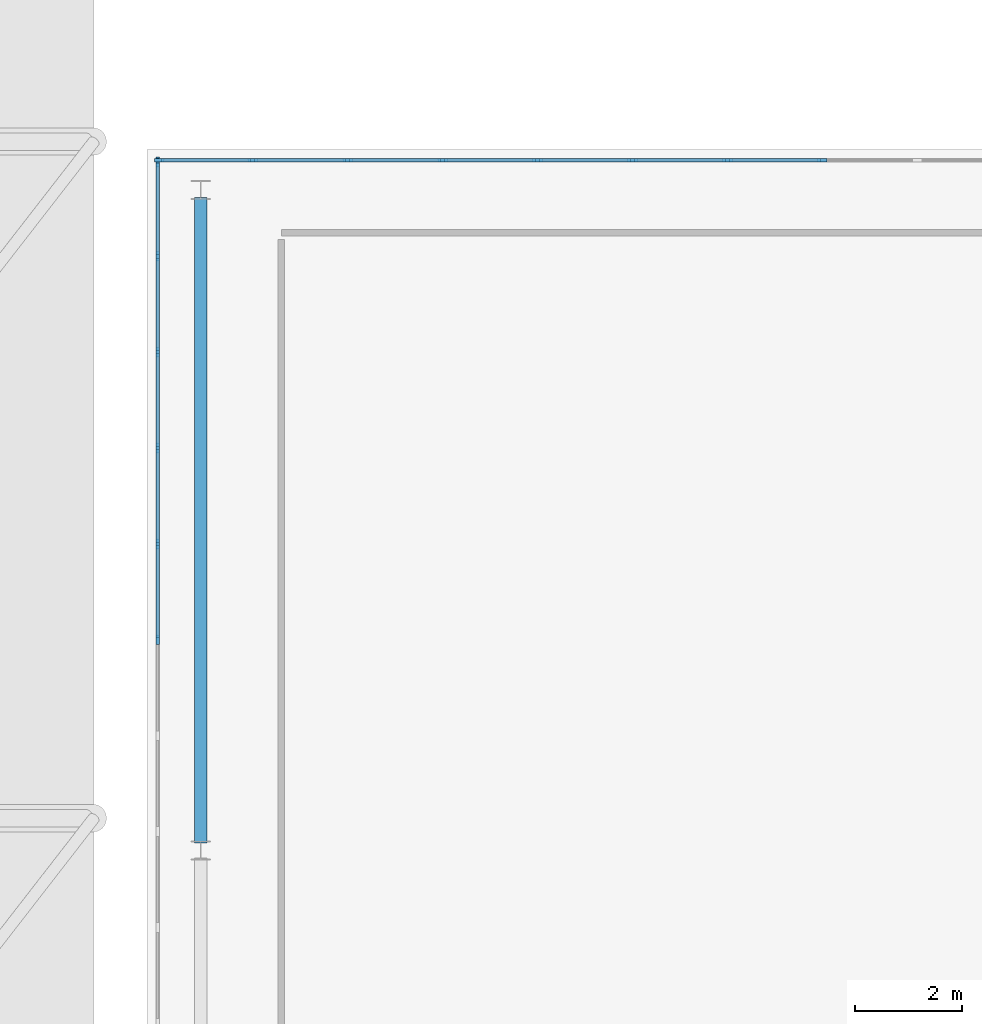
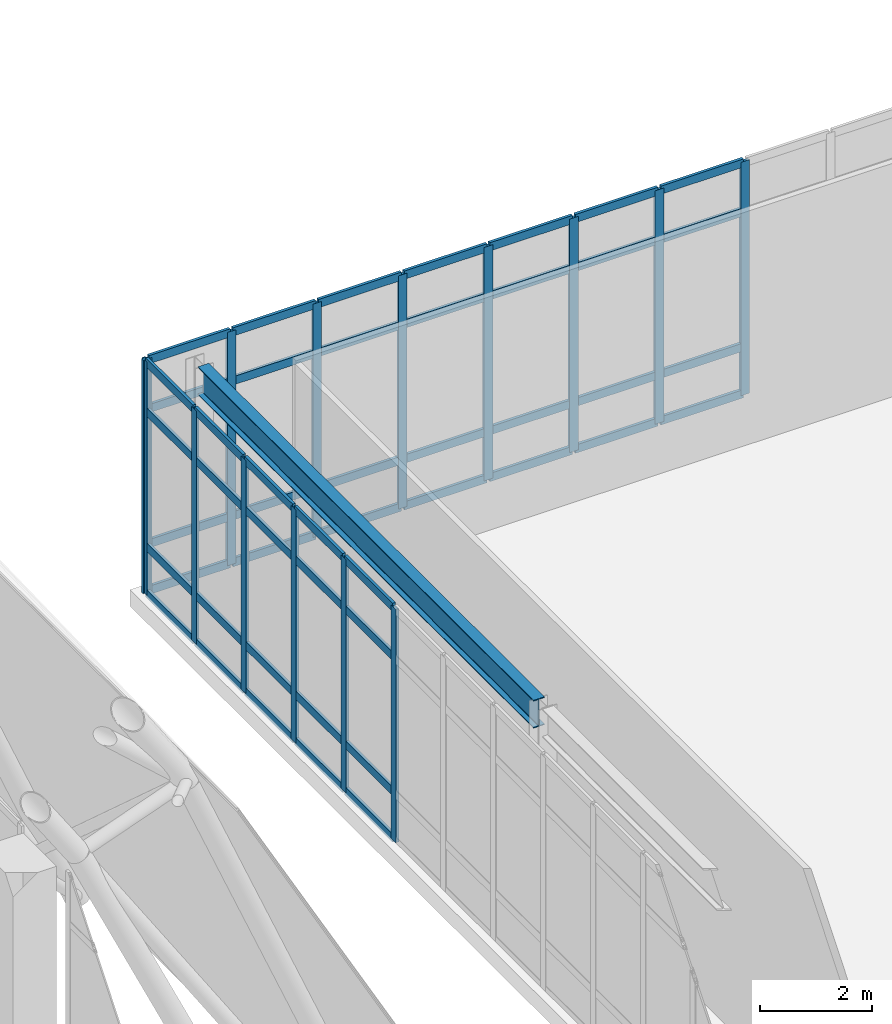
# One storey, part 42 of 159: 62 members, 1 beam, 2 elements without a shape of their own.
"""IFC4 building model written with IfcOpenShell, lengths in metres."""

from ifc_helpers import new_model, si_unit, derived_unit, direction, frame, origin, origin_2d, place, context, subcontext, project, spatial, rectangle, i_section, extrude, material, layer, layer_set, material_profile, profile_set, type_object, element, aggregate, save


model = new_model("IFC4")

# Units and contexts
model_context = context("Model", 3, precision=1e-05, world=origin(), true_north=direction((0.0, 1.0)))
body_context = subcontext(model_context, "Body", "Model", "MODEL_VIEW")
ifc_project = project(units=[si_unit("LENGTHUNIT", "METRE"), si_unit("AREAUNIT", "SQUARE_METRE"), si_unit("VOLUMEUNIT", "CUBIC_METRE"), si_unit("PLANEANGLEUNIT", "RADIAN"), si_unit("MASSUNIT", "GRAM", prefix="KILO"), derived_unit("THERMALTRANSMITTANCEUNIT", [(si_unit("MASSUNIT", "GRAM", prefix="KILO"), 1), (si_unit("TIMEUNIT", "SECOND"), -3), (si_unit("THERMODYNAMICTEMPERATUREUNIT", "KELVIN"), -1)])], contexts=[model_context])

# Site, building, storey
site_placement = place(None, origin())
site = spatial("IfcSite", under=ifc_project, at=site_placement, CompositionType="ELEMENT")
building_placement = place(site_placement, origin())
building = spatial("IfcBuilding", under=site, at=building_placement, Name="Valcora Ridge Arena", CompositionType="ELEMENT")
storey_placement = place(building_placement, frame((0.0, 0.0, 6.0)))
storey = spatial("IfcBuildingStorey", under=building, at=storey_placement, Name="L01", CompositionType="ELEMENT", Elevation=6.0)

# Beam
ifc_material_1 = material(Name="Steel ASTM A572 Grade 50", Category="steel")
ifc_material_profile_1 = material_profile(ifc_material_1, i_section(OverallWidth=0.22900390625, OverallDepth=0.612060546875, WebThickness=0.011962890625, FlangeThickness=0.01953125, FilletRadius=0.01806640625, at=origin_2d()), Name="W24X84")
ifc_profile_set_1 = profile_set([ifc_material_profile_1], Name="Steel ASTM A572 Grade 50")
beam_type = type_object("IfcBeamType", Name="TY-BEAM-G-W24X84-Y", PredefinedType="BEAM", material=ifc_profile_set_1)
beam_placement = place(storey_placement, frame((113.0, 32.139892578125, 4.7939453125), z_axis=(0.0, 1.0, 0.0), x_axis=(-1.0, 0.0, 0.0)))
element("IfcBeam", 1, at=beam_placement, inside=storey, type_object=beam_type, Name="G-W24X84-Y BEM-G-W24X84-Y-0014", PredefinedType="BEAM", context=body_context, shape_type="SweptSolid", body=[
    extrude(i_section(OverallWidth=0.22900390625, OverallDepth=0.612060546875, WebThickness=0.011962890625, FlangeThickness=0.01953125, FilletRadius=0.01806640625, at=origin_2d()), origin(), (0.0, 0.0, 1.0), 12.02001953125),
])

# Curtain wall, members
ifc_material_2 = material(Name="Anodised dark bronze architectural aluminium 6063-T6", Category="aluminium")
ifc_layer_1 = layer(ifc_material_2, 0.179931640625, Name="Anodised dark bronze architectural aluminium 6063-T6")
ifc_layer_set_1 = layer_set([ifc_layer_1], Name="Anodised dark bronze architectural aluminium 6063-T6")
curtain_wall_type_1 = type_object("IfcCurtainWallType", Name="TY-CURTAINWALL-CW-V3-LANCET-194X51", PredefinedType="NOTDEFINED", material=ifc_layer_set_1)
curtain_wall_1_placement = place(storey_placement, origin())
curtain_wall_1 = element("IfcCurtainWall", 2, at=curtain_wall_1_placement, inside=storey, type_object=curtain_wall_type_1, Name="CW-V3-LANCET-194X51 CW-0017", PredefinedType="NOTDEFINED")
ifc_material_profile_2 = material_profile(ifc_material_2, rectangle(XDim=0.06005859375, YDim=0.179931640625, at=origin_2d()), Name="ALU MULLION 60x180")
ifc_profile_set_2 = profile_set([ifc_material_profile_2], Name="Anodised dark bronze architectural aluminium 6063-T6")
member_type_1 = type_object("IfcMemberType", Name="TY-MEM-CWM-60x180", PredefinedType="MULLION", material=ifc_profile_set_2)
member_1_placement = place(storey_placement, frame((112.22998046875, 44.85009765625, 0.0), z_axis=(0.0, 0.0, 1.0), x_axis=(0.0, 1.0, 0.0)))
member_1 = element("IfcMember", 3, at=member_1_placement, type_object=member_type_1, Name="CW-0017/CWM-60x180/M00", PredefinedType="MULLION", context=body_context, shape_type="SweptSolid", body=[
    extrude(rectangle(XDim=0.06005859375, YDim=0.179931640625, at=origin_2d()), origin(), (0.0, 0.0, 1.0), 5.10009765625),
])
member_2_placement = place(storey_placement, frame((113.96826171875, 44.85009765625, 0.0), z_axis=(0.0, 0.0, 1.0), x_axis=(0.0, 1.0, 0.0)))
member_2 = element("IfcMember", 4, at=member_2_placement, type_object=member_type_1, Name="CW-0017/CWM-60x180/M01", PredefinedType="MULLION", context=body_context, shape_type="SweptSolid", body=[
    extrude(rectangle(XDim=0.06005859375, YDim=0.179931640625, at=origin_2d()), origin(), (0.0, 0.0, 1.0), 5.10009765625),
])
member_3_placement = place(storey_placement, frame((115.736328125, 44.85009765625, 0.0), z_axis=(0.0, 0.0, 1.0), x_axis=(0.0, 1.0, 0.0)))
member_3 = element("IfcMember", 5, at=member_3_placement, type_object=member_type_1, Name="CW-0017/CWM-60x180/M02", PredefinedType="MULLION", context=body_context, shape_type="SweptSolid", body=[
    extrude(rectangle(XDim=0.06005859375, YDim=0.179931640625, at=origin_2d()), origin(), (0.0, 0.0, 1.0), 5.10009765625),
])
member_4_placement = place(storey_placement, frame((117.50439453125, 44.85009765625, 0.0), z_axis=(0.0, 0.0, 1.0), x_axis=(0.0, 1.0, 0.0)))
member_4 = element("IfcMember", 6, at=member_4_placement, type_object=member_type_1, Name="CW-0017/CWM-60x180/M03", PredefinedType="MULLION", context=body_context, shape_type="SweptSolid", body=[
    extrude(rectangle(XDim=0.06005859375, YDim=0.179931640625, at=origin_2d()), origin(), (0.0, 0.0, 1.0), 5.10009765625),
])
member_5_placement = place(storey_placement, frame((119.272705078125, 44.85009765625, 0.0), z_axis=(0.0, 0.0, 1.0), x_axis=(0.0, 1.0, 0.0)))
member_5 = element("IfcMember", 7, at=member_5_placement, type_object=member_type_1, Name="CW-0017/CWM-60x180/M04", PredefinedType="MULLION", context=body_context, shape_type="SweptSolid", body=[
    extrude(rectangle(XDim=0.06005859375, YDim=0.179931640625, at=origin_2d()), origin(), (0.0, 0.0, 1.0), 5.10009765625),
])
member_6_placement = place(storey_placement, frame((121.041015625, 44.85009765625, 0.0), z_axis=(0.0, 0.0, 1.0), x_axis=(0.0, 1.0, 0.0)))
member_6 = element("IfcMember", 8, at=member_6_placement, type_object=member_type_1, Name="CW-0017/CWM-60x180/M05", PredefinedType="MULLION", context=body_context, shape_type="SweptSolid", body=[
    extrude(rectangle(XDim=0.06005859375, YDim=0.179931640625, at=origin_2d()), origin(), (0.0, 0.0, 1.0), 5.10009765625),
])
member_7_placement = place(storey_placement, frame((122.80908203125, 44.85009765625, 0.0), z_axis=(0.0, 0.0, 1.0), x_axis=(0.0, 1.0, 0.0)))
member_7 = element("IfcMember", 9, at=member_7_placement, type_object=member_type_1, Name="CW-0017/CWM-60x180/M06", PredefinedType="MULLION", context=body_context, shape_type="SweptSolid", body=[
    extrude(rectangle(XDim=0.06005859375, YDim=0.179931640625, at=origin_2d()), origin(), (0.0, 0.0, 1.0), 5.10009765625),
])
member_8_placement = place(storey_placement, frame((124.577392578125, 44.85009765625, 0.0), z_axis=(0.0, 0.0, 1.0), x_axis=(0.0, 1.0, 0.0)))
member_8 = element("IfcMember", 10, at=member_8_placement, type_object=member_type_1, Name="CW-0017/CWM-60x180/M07", PredefinedType="MULLION", context=body_context, shape_type="SweptSolid", body=[
    extrude(rectangle(XDim=0.06005859375, YDim=0.179931640625, at=origin_2d()), origin(), (0.0, 0.0, 1.0), 5.10009765625),
])

ifc_layer_2 = layer(ifc_material_2, 0.179931640625, Name="Anodised dark bronze architectural aluminium 6063-T6")
ifc_layer_set_2 = layer_set([ifc_layer_2], Name="Anodised dark bronze architectural aluminium 6063-T6")
curtain_wall_type_2 = type_object("IfcCurtainWallType", Name="TY-CURTAINWALL-CW-V3-LANCET-250X51", PredefinedType="NOTDEFINED", material=ifc_layer_set_2)
curtain_wall_2_placement = place(storey_placement, origin())
curtain_wall_2 = element("IfcCurtainWall", 11, at=curtain_wall_2_placement, inside=storey, type_object=curtain_wall_type_2, Name="CW-V3-LANCET-250X51 CW-0018", PredefinedType="NOTDEFINED")
member_9_placement = place(storey_placement, frame((112.199951171875, 35.92138671875, 0.0), z_axis=(0.0, 0.0, 1.0), x_axis=(-1.0, 0.0, 0.0)))
member_9 = element("IfcMember", 12, at=member_9_placement, type_object=member_type_1, Name="CW-0018/CWM-60x180/M09", PredefinedType="MULLION", context=body_context, shape_type="SweptSolid", body=[
    extrude(rectangle(XDim=0.06005859375, YDim=0.179931640625, at=origin_2d()), origin(), (0.0, 0.0, 1.0), 5.10009765625),
])
member_10_placement = place(storey_placement, frame((112.199951171875, 37.70703125, 0.0), z_axis=(0.0, 0.0, 1.0), x_axis=(-1.0, 0.0, 0.0)))
member_10 = element("IfcMember", 13, at=member_10_placement, type_object=member_type_1, Name="CW-0018/CWM-60x180/M10", PredefinedType="MULLION", context=body_context, shape_type="SweptSolid", body=[
    extrude(rectangle(XDim=0.06005859375, YDim=0.179931640625, at=origin_2d()), origin(), (0.0, 0.0, 1.0), 5.10009765625),
])
member_11_placement = place(storey_placement, frame((112.199951171875, 39.492919921875, 0.0), z_axis=(0.0, 0.0, 1.0), x_axis=(-1.0, 0.0, 0.0)))
member_11 = element("IfcMember", 14, at=member_11_placement, type_object=member_type_1, Name="CW-0018/CWM-60x180/M11", PredefinedType="MULLION", context=body_context, shape_type="SweptSolid", body=[
    extrude(rectangle(XDim=0.06005859375, YDim=0.179931640625, at=origin_2d()), origin(), (0.0, 0.0, 1.0), 5.10009765625),
])
member_12_placement = place(storey_placement, frame((112.199951171875, 41.278564453125, 0.0), z_axis=(0.0, 0.0, 1.0), x_axis=(-1.0, 0.0, 0.0)))
member_12 = element("IfcMember", 15, at=member_12_placement, type_object=member_type_1, Name="CW-0018/CWM-60x180/M12", PredefinedType="MULLION", context=body_context, shape_type="SweptSolid", body=[
    extrude(rectangle(XDim=0.06005859375, YDim=0.179931640625, at=origin_2d()), origin(), (0.0, 0.0, 1.0), 5.10009765625),
])
member_13_placement = place(storey_placement, frame((112.199951171875, 43.064208984375, 0.0), z_axis=(0.0, 0.0, 1.0), x_axis=(-1.0, 0.0, 0.0)))
member_13 = element("IfcMember", 16, at=member_13_placement, type_object=member_type_1, Name="CW-0018/CWM-60x180/M13", PredefinedType="MULLION", context=body_context, shape_type="SweptSolid", body=[
    extrude(rectangle(XDim=0.06005859375, YDim=0.179931640625, at=origin_2d()), origin(), (0.0, 0.0, 1.0), 5.10009765625),
])
member_14_placement = place(storey_placement, frame((112.199951171875, 44.820068359375, 0.0), z_axis=(0.0, 0.0, 1.0), x_axis=(-1.0, 0.0, 0.0)))
member_14 = element("IfcMember", 17, at=member_14_placement, type_object=member_type_1, Name="CW-0018/CWM-60x180/M14", PredefinedType="MULLION", context=body_context, shape_type="SweptSolid", body=[
    extrude(rectangle(XDim=0.06005859375, YDim=0.179931640625, at=origin_2d()), origin(), (0.0, 0.0, 1.0), 5.10009765625),
])

# Member
ifc_material_profile_3 = material_profile(ifc_material_2, rectangle(XDim=0.06005859375, YDim=0.179931640625, at=origin_2d()), Name="ALU TRANSOM 60x180")
ifc_profile_set_3 = profile_set([ifc_material_profile_3], Name="Anodised dark bronze architectural aluminium 6063-T6")
member_type_2 = type_object("IfcMemberType", Name="TY-MEM-CWT-60x180", PredefinedType="USERDEFINED", material=ifc_profile_set_3)
member_15_placement = place(storey_placement, frame((112.260009765625, 44.85009765625, 0.030029296875), z_axis=(1.0, 0.0, 0.0), x_axis=(0.0, 1.0, 0.0)))
member_15 = element("IfcMember", 18, at=member_15_placement, type_object=member_type_2, Name="CW-0017/CWT-60x180/T00-00", ObjectType="TRANSOM", PredefinedType="USERDEFINED", context=body_context, shape_type="SweptSolid", body=[
    extrude(rectangle(XDim=0.06005859375, YDim=0.179931640625, at=origin_2d()), origin(), (0.0, 0.0, 1.0), 1.677978515625),
])

member_16_placement = place(storey_placement, frame((112.260009765625, 44.85009765625, 1.050048828125), z_axis=(1.0, 0.0, 0.0), x_axis=(0.0, 1.0, 0.0)))
member_16 = element("IfcMember", 19, at=member_16_placement, type_object=member_type_2, Name="CW-0017/CWT-60x180/T00-01", ObjectType="TRANSOM", PredefinedType="USERDEFINED", context=body_context, shape_type="SweptSolid", body=[
    extrude(rectangle(XDim=0.06005859375, YDim=0.179931640625, at=origin_2d()), origin(), (0.0, 0.0, 1.0), 1.677978515625),
])

member_17_placement = place(storey_placement, frame((112.260009765625, 44.85009765625, 4.0), z_axis=(1.0, 0.0, 0.0), x_axis=(0.0, 1.0, 0.0)))
member_17 = element("IfcMember", 20, at=member_17_placement, type_object=member_type_2, Name="CW-0017/CWT-60x180/T00-02", ObjectType="TRANSOM", PredefinedType="USERDEFINED", context=body_context, shape_type="SweptSolid", body=[
    extrude(rectangle(XDim=0.06005859375, YDim=0.179931640625, at=origin_2d()), origin(), (0.0, 0.0, 1.0), 1.677978515625),
])

member_18_placement = place(storey_placement, frame((112.260009765625, 44.85009765625, 5.070068359375), z_axis=(1.0, 0.0, 0.0), x_axis=(0.0, 1.0, 0.0)))
member_18 = element("IfcMember", 21, at=member_18_placement, type_object=member_type_2, Name="CW-0017/CWT-60x180/T00-03", ObjectType="TRANSOM", PredefinedType="USERDEFINED", context=body_context, shape_type="SweptSolid", body=[
    extrude(rectangle(XDim=0.06005859375, YDim=0.179931640625, at=origin_2d()), origin(), (0.0, 0.0, 1.0), 1.677978515625),
])

member_19_placement = place(storey_placement, frame((113.998046875, 44.85009765625, 0.030029296875), z_axis=(1.0, 0.0, 0.0), x_axis=(0.0, 1.0, 0.0)))
member_19 = element("IfcMember", 22, at=member_19_placement, type_object=member_type_2, Name="CW-0017/CWT-60x180/T01-00", ObjectType="TRANSOM", PredefinedType="USERDEFINED", context=body_context, shape_type="SweptSolid", body=[
    extrude(rectangle(XDim=0.06005859375, YDim=0.179931640625, at=origin_2d()), origin(), (0.0, 0.0, 1.0), 1.7080078125),
])

member_20_placement = place(storey_placement, frame((113.998046875, 44.85009765625, 1.050048828125), z_axis=(1.0, 0.0, 0.0), x_axis=(0.0, 1.0, 0.0)))
member_20 = element("IfcMember", 23, at=member_20_placement, type_object=member_type_2, Name="CW-0017/CWT-60x180/T01-01", ObjectType="TRANSOM", PredefinedType="USERDEFINED", context=body_context, shape_type="SweptSolid", body=[
    extrude(rectangle(XDim=0.06005859375, YDim=0.179931640625, at=origin_2d()), origin(), (0.0, 0.0, 1.0), 1.7080078125),
])

member_21_placement = place(storey_placement, frame((113.998046875, 44.85009765625, 4.0), z_axis=(1.0, 0.0, 0.0), x_axis=(0.0, 1.0, 0.0)))
member_21 = element("IfcMember", 24, at=member_21_placement, type_object=member_type_2, Name="CW-0017/CWT-60x180/T01-02", ObjectType="TRANSOM", PredefinedType="USERDEFINED", context=body_context, shape_type="SweptSolid", body=[
    extrude(rectangle(XDim=0.06005859375, YDim=0.179931640625, at=origin_2d()), origin(), (0.0, 0.0, 1.0), 1.7080078125),
])

member_22_placement = place(storey_placement, frame((113.998046875, 44.85009765625, 5.070068359375), z_axis=(1.0, 0.0, 0.0), x_axis=(0.0, 1.0, 0.0)))
member_22 = element("IfcMember", 25, at=member_22_placement, type_object=member_type_2, Name="CW-0017/CWT-60x180/T01-03", ObjectType="TRANSOM", PredefinedType="USERDEFINED", context=body_context, shape_type="SweptSolid", body=[
    extrude(rectangle(XDim=0.06005859375, YDim=0.179931640625, at=origin_2d()), origin(), (0.0, 0.0, 1.0), 1.7080078125),
])

member_23_placement = place(storey_placement, frame((115.76611328125, 44.85009765625, 0.030029296875), z_axis=(1.0, 0.0, 0.0), x_axis=(0.0, 1.0, 0.0)))
member_23 = element("IfcMember", 26, at=member_23_placement, type_object=member_type_2, Name="CW-0017/CWT-60x180/T02-00", ObjectType="TRANSOM", PredefinedType="USERDEFINED", context=body_context, shape_type="SweptSolid", body=[
    extrude(rectangle(XDim=0.06005859375, YDim=0.179931640625, at=origin_2d()), origin(), (0.0, 0.0, 1.0), 1.708984375),
])

member_24_placement = place(storey_placement, frame((115.76611328125, 44.85009765625, 1.050048828125), z_axis=(1.0, 0.0, 0.0), x_axis=(0.0, 1.0, 0.0)))
member_24 = element("IfcMember", 27, at=member_24_placement, type_object=member_type_2, Name="CW-0017/CWT-60x180/T02-01", ObjectType="TRANSOM", PredefinedType="USERDEFINED", context=body_context, shape_type="SweptSolid", body=[
    extrude(rectangle(XDim=0.06005859375, YDim=0.179931640625, at=origin_2d()), origin(), (0.0, 0.0, 1.0), 1.708984375),
])

member_25_placement = place(storey_placement, frame((115.76611328125, 44.85009765625, 4.0), z_axis=(1.0, 0.0, 0.0), x_axis=(0.0, 1.0, 0.0)))
member_25 = element("IfcMember", 28, at=member_25_placement, type_object=member_type_2, Name="CW-0017/CWT-60x180/T02-02", ObjectType="TRANSOM", PredefinedType="USERDEFINED", context=body_context, shape_type="SweptSolid", body=[
    extrude(rectangle(XDim=0.06005859375, YDim=0.179931640625, at=origin_2d()), origin(), (0.0, 0.0, 1.0), 1.708984375),
])

member_26_placement = place(storey_placement, frame((115.76611328125, 44.85009765625, 5.070068359375), z_axis=(1.0, 0.0, 0.0), x_axis=(0.0, 1.0, 0.0)))
member_26 = element("IfcMember", 29, at=member_26_placement, type_object=member_type_2, Name="CW-0017/CWT-60x180/T02-03", ObjectType="TRANSOM", PredefinedType="USERDEFINED", context=body_context, shape_type="SweptSolid", body=[
    extrude(rectangle(XDim=0.06005859375, YDim=0.179931640625, at=origin_2d()), origin(), (0.0, 0.0, 1.0), 1.708984375),
])

member_27_placement = place(storey_placement, frame((117.534912109375, 44.85009765625, 0.030029296875), z_axis=(1.0, 0.0, 0.0), x_axis=(0.0, 1.0, 0.0)))
member_27 = element("IfcMember", 30, at=member_27_placement, type_object=member_type_2, Name="CW-0017/CWT-60x180/T03-00", ObjectType="TRANSOM", PredefinedType="USERDEFINED", context=body_context, shape_type="SweptSolid", body=[
    extrude(rectangle(XDim=0.06005859375, YDim=0.179931640625, at=origin_2d()), origin(), (0.0, 0.0, 1.0), 1.7080078125),
])

member_28_placement = place(storey_placement, frame((117.534912109375, 44.85009765625, 1.050048828125), z_axis=(1.0, 0.0, 0.0), x_axis=(0.0, 1.0, 0.0)))
member_28 = element("IfcMember", 31, at=member_28_placement, type_object=member_type_2, Name="CW-0017/CWT-60x180/T03-01", ObjectType="TRANSOM", PredefinedType="USERDEFINED", context=body_context, shape_type="SweptSolid", body=[
    extrude(rectangle(XDim=0.06005859375, YDim=0.179931640625, at=origin_2d()), origin(), (0.0, 0.0, 1.0), 1.7080078125),
])

member_29_placement = place(storey_placement, frame((117.534912109375, 44.85009765625, 4.0), z_axis=(1.0, 0.0, 0.0), x_axis=(0.0, 1.0, 0.0)))
member_29 = element("IfcMember", 32, at=member_29_placement, type_object=member_type_2, Name="CW-0017/CWT-60x180/T03-02", ObjectType="TRANSOM", PredefinedType="USERDEFINED", context=body_context, shape_type="SweptSolid", body=[
    extrude(rectangle(XDim=0.06005859375, YDim=0.179931640625, at=origin_2d()), origin(), (0.0, 0.0, 1.0), 1.7080078125),
])

member_30_placement = place(storey_placement, frame((117.534912109375, 44.85009765625, 5.070068359375), z_axis=(1.0, 0.0, 0.0), x_axis=(0.0, 1.0, 0.0)))
member_30 = element("IfcMember", 33, at=member_30_placement, type_object=member_type_2, Name="CW-0017/CWT-60x180/T03-03", ObjectType="TRANSOM", PredefinedType="USERDEFINED", context=body_context, shape_type="SweptSolid", body=[
    extrude(rectangle(XDim=0.06005859375, YDim=0.179931640625, at=origin_2d()), origin(), (0.0, 0.0, 1.0), 1.7080078125),
])

member_31_placement = place(storey_placement, frame((119.302978515625, 44.85009765625, 0.030029296875), z_axis=(1.0, 0.0, 0.0), x_axis=(0.0, 1.0, 0.0)))
member_31 = element("IfcMember", 34, at=member_31_placement, type_object=member_type_2, Name="CW-0017/CWT-60x180/T04-00", ObjectType="TRANSOM", PredefinedType="USERDEFINED", context=body_context, shape_type="SweptSolid", body=[
    extrude(rectangle(XDim=0.06005859375, YDim=0.179931640625, at=origin_2d()), origin(), (0.0, 0.0, 1.0), 1.7080078125),
])

member_32_placement = place(storey_placement, frame((119.302978515625, 44.85009765625, 1.050048828125), z_axis=(1.0, 0.0, 0.0), x_axis=(0.0, 1.0, 0.0)))
member_32 = element("IfcMember", 35, at=member_32_placement, type_object=member_type_2, Name="CW-0017/CWT-60x180/T04-01", ObjectType="TRANSOM", PredefinedType="USERDEFINED", context=body_context, shape_type="SweptSolid", body=[
    extrude(rectangle(XDim=0.06005859375, YDim=0.179931640625, at=origin_2d()), origin(), (0.0, 0.0, 1.0), 1.7080078125),
])

member_33_placement = place(storey_placement, frame((119.302978515625, 44.85009765625, 4.0), z_axis=(1.0, 0.0, 0.0), x_axis=(0.0, 1.0, 0.0)))
member_33 = element("IfcMember", 36, at=member_33_placement, type_object=member_type_2, Name="CW-0017/CWT-60x180/T04-02", ObjectType="TRANSOM", PredefinedType="USERDEFINED", context=body_context, shape_type="SweptSolid", body=[
    extrude(rectangle(XDim=0.06005859375, YDim=0.179931640625, at=origin_2d()), origin(), (0.0, 0.0, 1.0), 1.7080078125),
])

member_34_placement = place(storey_placement, frame((119.302978515625, 44.85009765625, 5.070068359375), z_axis=(1.0, 0.0, 0.0), x_axis=(0.0, 1.0, 0.0)))
member_34 = element("IfcMember", 37, at=member_34_placement, type_object=member_type_2, Name="CW-0017/CWT-60x180/T04-03", ObjectType="TRANSOM", PredefinedType="USERDEFINED", context=body_context, shape_type="SweptSolid", body=[
    extrude(rectangle(XDim=0.06005859375, YDim=0.179931640625, at=origin_2d()), origin(), (0.0, 0.0, 1.0), 1.7080078125),
])

member_35_placement = place(storey_placement, frame((121.071044921875, 44.85009765625, 0.030029296875), z_axis=(1.0, 0.0, 0.0), x_axis=(0.0, 1.0, 0.0)))
member_35 = element("IfcMember", 38, at=member_35_placement, type_object=member_type_2, Name="CW-0017/CWT-60x180/T05-00", ObjectType="TRANSOM", PredefinedType="USERDEFINED", context=body_context, shape_type="SweptSolid", body=[
    extrude(rectangle(XDim=0.06005859375, YDim=0.179931640625, at=origin_2d()), origin(), (0.0, 0.0, 1.0), 1.7080078125),
])

member_36_placement = place(storey_placement, frame((121.071044921875, 44.85009765625, 1.050048828125), z_axis=(1.0, 0.0, 0.0), x_axis=(0.0, 1.0, 0.0)))
member_36 = element("IfcMember", 39, at=member_36_placement, type_object=member_type_2, Name="CW-0017/CWT-60x180/T05-01", ObjectType="TRANSOM", PredefinedType="USERDEFINED", context=body_context, shape_type="SweptSolid", body=[
    extrude(rectangle(XDim=0.06005859375, YDim=0.179931640625, at=origin_2d()), origin(), (0.0, 0.0, 1.0), 1.7080078125),
])

member_37_placement = place(storey_placement, frame((121.071044921875, 44.85009765625, 4.0), z_axis=(1.0, 0.0, 0.0), x_axis=(0.0, 1.0, 0.0)))
member_37 = element("IfcMember", 40, at=member_37_placement, type_object=member_type_2, Name="CW-0017/CWT-60x180/T05-02", ObjectType="TRANSOM", PredefinedType="USERDEFINED", context=body_context, shape_type="SweptSolid", body=[
    extrude(rectangle(XDim=0.06005859375, YDim=0.179931640625, at=origin_2d()), origin(), (0.0, 0.0, 1.0), 1.7080078125),
])

member_38_placement = place(storey_placement, frame((121.071044921875, 44.85009765625, 5.070068359375), z_axis=(1.0, 0.0, 0.0), x_axis=(0.0, 1.0, 0.0)))
member_38 = element("IfcMember", 41, at=member_38_placement, type_object=member_type_2, Name="CW-0017/CWT-60x180/T05-03", ObjectType="TRANSOM", PredefinedType="USERDEFINED", context=body_context, shape_type="SweptSolid", body=[
    extrude(rectangle(XDim=0.06005859375, YDim=0.179931640625, at=origin_2d()), origin(), (0.0, 0.0, 1.0), 1.7080078125),
])

member_39_placement = place(storey_placement, frame((122.839111328125, 44.85009765625, 0.030029296875), z_axis=(1.0, 0.0, 0.0), x_axis=(0.0, 1.0, 0.0)))
member_39 = element("IfcMember", 42, at=member_39_placement, type_object=member_type_2, Name="CW-0017/CWT-60x180/T06-00", ObjectType="TRANSOM", PredefinedType="USERDEFINED", context=body_context, shape_type="SweptSolid", body=[
    extrude(rectangle(XDim=0.06005859375, YDim=0.179931640625, at=origin_2d()), origin(), (0.0, 0.0, 1.0), 1.7080078125),
])

member_40_placement = place(storey_placement, frame((122.839111328125, 44.85009765625, 1.050048828125), z_axis=(1.0, 0.0, 0.0), x_axis=(0.0, 1.0, 0.0)))
member_40 = element("IfcMember", 43, at=member_40_placement, type_object=member_type_2, Name="CW-0017/CWT-60x180/T06-01", ObjectType="TRANSOM", PredefinedType="USERDEFINED", context=body_context, shape_type="SweptSolid", body=[
    extrude(rectangle(XDim=0.06005859375, YDim=0.179931640625, at=origin_2d()), origin(), (0.0, 0.0, 1.0), 1.7080078125),
])

member_41_placement = place(storey_placement, frame((122.839111328125, 44.85009765625, 4.0), z_axis=(1.0, 0.0, 0.0), x_axis=(0.0, 1.0, 0.0)))
member_41 = element("IfcMember", 44, at=member_41_placement, type_object=member_type_2, Name="CW-0017/CWT-60x180/T06-02", ObjectType="TRANSOM", PredefinedType="USERDEFINED", context=body_context, shape_type="SweptSolid", body=[
    extrude(rectangle(XDim=0.06005859375, YDim=0.179931640625, at=origin_2d()), origin(), (0.0, 0.0, 1.0), 1.7080078125),
])

member_42_placement = place(storey_placement, frame((122.839111328125, 44.85009765625, 5.070068359375), z_axis=(1.0, 0.0, 0.0), x_axis=(0.0, 1.0, 0.0)))
member_42 = element("IfcMember", 45, at=member_42_placement, type_object=member_type_2, Name="CW-0017/CWT-60x180/T06-03", ObjectType="TRANSOM", PredefinedType="USERDEFINED", context=body_context, shape_type="SweptSolid", body=[
    extrude(rectangle(XDim=0.06005859375, YDim=0.179931640625, at=origin_2d()), origin(), (0.0, 0.0, 1.0), 1.7080078125),
])

aggregate(curtain_wall_1, [member_1, member_2, member_3, member_4, member_5, member_6, member_7, member_8, member_15, member_16, member_17, member_18, member_19, member_20, member_21, member_22, member_23, member_24, member_25, member_26, member_27, member_28, member_29, member_30, member_31, member_32, member_33, member_34, member_35, member_36, member_37, member_38, member_39, member_40, member_41, member_42])

member_43_placement = place(storey_placement, frame((112.199951171875, 35.950927734375, 0.030029296875), z_axis=(0.0, 1.0, 0.0), x_axis=(-1.0, 0.0, 0.0)))
member_43 = element("IfcMember", 46, at=member_43_placement, type_object=member_type_2, Name="CW-0018/CWT-60x180/T09-00", ObjectType="TRANSOM", PredefinedType="USERDEFINED", context=body_context, shape_type="SweptSolid", body=[
    extrude(rectangle(XDim=0.06005859375, YDim=0.179931640625, at=origin_2d()), origin(), (0.0, 0.0, 1.0), 1.72607421875),
])

member_44_placement = place(storey_placement, frame((112.199951171875, 35.950927734375, 1.050048828125), z_axis=(0.0, 1.0, 0.0), x_axis=(-1.0, 0.0, 0.0)))
member_44 = element("IfcMember", 47, at=member_44_placement, type_object=member_type_2, Name="CW-0018/CWT-60x180/T09-01", ObjectType="TRANSOM", PredefinedType="USERDEFINED", context=body_context, shape_type="SweptSolid", body=[
    extrude(rectangle(XDim=0.06005859375, YDim=0.179931640625, at=origin_2d()), origin(), (0.0, 0.0, 1.0), 1.72607421875),
])

member_45_placement = place(storey_placement, frame((112.199951171875, 35.950927734375, 4.0), z_axis=(0.0, 1.0, 0.0), x_axis=(-1.0, 0.0, 0.0)))
member_45 = element("IfcMember", 48, at=member_45_placement, type_object=member_type_2, Name="CW-0018/CWT-60x180/T09-02", ObjectType="TRANSOM", PredefinedType="USERDEFINED", context=body_context, shape_type="SweptSolid", body=[
    extrude(rectangle(XDim=0.06005859375, YDim=0.179931640625, at=origin_2d()), origin(), (0.0, 0.0, 1.0), 1.72607421875),
])

member_46_placement = place(storey_placement, frame((112.199951171875, 35.950927734375, 5.070068359375), z_axis=(0.0, 1.0, 0.0), x_axis=(-1.0, 0.0, 0.0)))
member_46 = element("IfcMember", 49, at=member_46_placement, type_object=member_type_2, Name="CW-0018/CWT-60x180/T09-03", ObjectType="TRANSOM", PredefinedType="USERDEFINED", context=body_context, shape_type="SweptSolid", body=[
    extrude(rectangle(XDim=0.06005859375, YDim=0.179931640625, at=origin_2d()), origin(), (0.0, 0.0, 1.0), 1.72607421875),
])

member_47_placement = place(storey_placement, frame((112.199951171875, 37.737060546875, 0.030029296875), z_axis=(0.0, 1.0, 0.0), x_axis=(-1.0, 0.0, 0.0)))
member_47 = element("IfcMember", 50, at=member_47_placement, type_object=member_type_2, Name="CW-0018/CWT-60x180/T10-00", ObjectType="TRANSOM", PredefinedType="USERDEFINED", context=body_context, shape_type="SweptSolid", body=[
    extrude(rectangle(XDim=0.06005859375, YDim=0.179931640625, at=origin_2d()), origin(), (0.0, 0.0, 1.0), 1.725830078125),
])

member_48_placement = place(storey_placement, frame((112.199951171875, 37.737060546875, 1.050048828125), z_axis=(0.0, 1.0, 0.0), x_axis=(-1.0, 0.0, 0.0)))
member_48 = element("IfcMember", 51, at=member_48_placement, type_object=member_type_2, Name="CW-0018/CWT-60x180/T10-01", ObjectType="TRANSOM", PredefinedType="USERDEFINED", context=body_context, shape_type="SweptSolid", body=[
    extrude(rectangle(XDim=0.06005859375, YDim=0.179931640625, at=origin_2d()), origin(), (0.0, 0.0, 1.0), 1.725830078125),
])

member_49_placement = place(storey_placement, frame((112.199951171875, 37.737060546875, 4.0), z_axis=(0.0, 1.0, 0.0), x_axis=(-1.0, 0.0, 0.0)))
member_49 = element("IfcMember", 52, at=member_49_placement, type_object=member_type_2, Name="CW-0018/CWT-60x180/T10-02", ObjectType="TRANSOM", PredefinedType="USERDEFINED", context=body_context, shape_type="SweptSolid", body=[
    extrude(rectangle(XDim=0.06005859375, YDim=0.179931640625, at=origin_2d()), origin(), (0.0, 0.0, 1.0), 1.725830078125),
])

member_50_placement = place(storey_placement, frame((112.199951171875, 37.737060546875, 5.070068359375), z_axis=(0.0, 1.0, 0.0), x_axis=(-1.0, 0.0, 0.0)))
member_50 = element("IfcMember", 53, at=member_50_placement, type_object=member_type_2, Name="CW-0018/CWT-60x180/T10-03", ObjectType="TRANSOM", PredefinedType="USERDEFINED", context=body_context, shape_type="SweptSolid", body=[
    extrude(rectangle(XDim=0.06005859375, YDim=0.179931640625, at=origin_2d()), origin(), (0.0, 0.0, 1.0), 1.725830078125),
])

member_51_placement = place(storey_placement, frame((112.199951171875, 39.52294921875, 0.030029296875), z_axis=(0.0, 1.0, 0.0), x_axis=(-1.0, 0.0, 0.0)))
member_51 = element("IfcMember", 54, at=member_51_placement, type_object=member_type_2, Name="CW-0018/CWT-60x180/T11-00", ObjectType="TRANSOM", PredefinedType="USERDEFINED", context=body_context, shape_type="SweptSolid", body=[
    extrude(rectangle(XDim=0.06005859375, YDim=0.179931640625, at=origin_2d()), origin(), (0.0, 0.0, 1.0), 1.72607421875),
])

member_52_placement = place(storey_placement, frame((112.199951171875, 39.52294921875, 1.050048828125), z_axis=(0.0, 1.0, 0.0), x_axis=(-1.0, 0.0, 0.0)))
member_52 = element("IfcMember", 55, at=member_52_placement, type_object=member_type_2, Name="CW-0018/CWT-60x180/T11-01", ObjectType="TRANSOM", PredefinedType="USERDEFINED", context=body_context, shape_type="SweptSolid", body=[
    extrude(rectangle(XDim=0.06005859375, YDim=0.179931640625, at=origin_2d()), origin(), (0.0, 0.0, 1.0), 1.72607421875),
])

member_53_placement = place(storey_placement, frame((112.199951171875, 39.52294921875, 4.0), z_axis=(0.0, 1.0, 0.0), x_axis=(-1.0, 0.0, 0.0)))
member_53 = element("IfcMember", 56, at=member_53_placement, type_object=member_type_2, Name="CW-0018/CWT-60x180/T11-02", ObjectType="TRANSOM", PredefinedType="USERDEFINED", context=body_context, shape_type="SweptSolid", body=[
    extrude(rectangle(XDim=0.06005859375, YDim=0.179931640625, at=origin_2d()), origin(), (0.0, 0.0, 1.0), 1.72607421875),
])

member_54_placement = place(storey_placement, frame((112.199951171875, 39.52294921875, 5.070068359375), z_axis=(0.0, 1.0, 0.0), x_axis=(-1.0, 0.0, 0.0)))
member_54 = element("IfcMember", 57, at=member_54_placement, type_object=member_type_2, Name="CW-0018/CWT-60x180/T11-03", ObjectType="TRANSOM", PredefinedType="USERDEFINED", context=body_context, shape_type="SweptSolid", body=[
    extrude(rectangle(XDim=0.06005859375, YDim=0.179931640625, at=origin_2d()), origin(), (0.0, 0.0, 1.0), 1.72607421875),
])

member_55_placement = place(storey_placement, frame((112.199951171875, 41.30908203125, 0.030029296875), z_axis=(0.0, 1.0, 0.0), x_axis=(-1.0, 0.0, 0.0)))
member_55 = element("IfcMember", 58, at=member_55_placement, type_object=member_type_2, Name="CW-0018/CWT-60x180/T12-00", ObjectType="TRANSOM", PredefinedType="USERDEFINED", context=body_context, shape_type="SweptSolid", body=[
    extrude(rectangle(XDim=0.06005859375, YDim=0.179931640625, at=origin_2d()), origin(), (0.0, 0.0, 1.0), 1.724853515625),
])

member_56_placement = place(storey_placement, frame((112.199951171875, 41.30908203125, 1.050048828125), z_axis=(0.0, 1.0, 0.0), x_axis=(-1.0, 0.0, 0.0)))
member_56 = element("IfcMember", 59, at=member_56_placement, type_object=member_type_2, Name="CW-0018/CWT-60x180/T12-01", ObjectType="TRANSOM", PredefinedType="USERDEFINED", context=body_context, shape_type="SweptSolid", body=[
    extrude(rectangle(XDim=0.06005859375, YDim=0.179931640625, at=origin_2d()), origin(), (0.0, 0.0, 1.0), 1.724853515625),
])

member_57_placement = place(storey_placement, frame((112.199951171875, 41.30908203125, 4.0), z_axis=(0.0, 1.0, 0.0), x_axis=(-1.0, 0.0, 0.0)))
member_57 = element("IfcMember", 60, at=member_57_placement, type_object=member_type_2, Name="CW-0018/CWT-60x180/T12-02", ObjectType="TRANSOM", PredefinedType="USERDEFINED", context=body_context, shape_type="SweptSolid", body=[
    extrude(rectangle(XDim=0.06005859375, YDim=0.179931640625, at=origin_2d()), origin(), (0.0, 0.0, 1.0), 1.724853515625),
])

member_58_placement = place(storey_placement, frame((112.199951171875, 41.30908203125, 5.070068359375), z_axis=(0.0, 1.0, 0.0), x_axis=(-1.0, 0.0, 0.0)))
member_58 = element("IfcMember", 61, at=member_58_placement, type_object=member_type_2, Name="CW-0018/CWT-60x180/T12-03", ObjectType="TRANSOM", PredefinedType="USERDEFINED", context=body_context, shape_type="SweptSolid", body=[
    extrude(rectangle(XDim=0.06005859375, YDim=0.179931640625, at=origin_2d()), origin(), (0.0, 0.0, 1.0), 1.724853515625),
])

member_59_placement = place(storey_placement, frame((112.199951171875, 43.093994140625, 0.030029296875), z_axis=(0.0, 1.0, 0.0), x_axis=(-1.0, 0.0, 0.0)))
member_59 = element("IfcMember", 62, at=member_59_placement, type_object=member_type_2, Name="CW-0018/CWT-60x180/T13-00", ObjectType="TRANSOM", PredefinedType="USERDEFINED", context=body_context, shape_type="SweptSolid", body=[
    extrude(rectangle(XDim=0.06005859375, YDim=0.179931640625, at=origin_2d()), origin(), (0.0, 0.0, 1.0), 1.696044921875),
])

member_60_placement = place(storey_placement, frame((112.199951171875, 43.093994140625, 1.050048828125), z_axis=(0.0, 1.0, 0.0), x_axis=(-1.0, 0.0, 0.0)))
member_60 = element("IfcMember", 63, at=member_60_placement, type_object=member_type_2, Name="CW-0018/CWT-60x180/T13-01", ObjectType="TRANSOM", PredefinedType="USERDEFINED", context=body_context, shape_type="SweptSolid", body=[
    extrude(rectangle(XDim=0.06005859375, YDim=0.179931640625, at=origin_2d()), origin(), (0.0, 0.0, 1.0), 1.696044921875),
])

member_61_placement = place(storey_placement, frame((112.199951171875, 43.093994140625, 4.0), z_axis=(0.0, 1.0, 0.0), x_axis=(-1.0, 0.0, 0.0)))
member_61 = element("IfcMember", 64, at=member_61_placement, type_object=member_type_2, Name="CW-0018/CWT-60x180/T13-02", ObjectType="TRANSOM", PredefinedType="USERDEFINED", context=body_context, shape_type="SweptSolid", body=[
    extrude(rectangle(XDim=0.06005859375, YDim=0.179931640625, at=origin_2d()), origin(), (0.0, 0.0, 1.0), 1.696044921875),
])

member_62_placement = place(storey_placement, frame((112.199951171875, 43.093994140625, 5.070068359375), z_axis=(0.0, 1.0, 0.0), x_axis=(-1.0, 0.0, 0.0)))
member_62 = element("IfcMember", 65, at=member_62_placement, type_object=member_type_2, Name="CW-0018/CWT-60x180/T13-03", ObjectType="TRANSOM", PredefinedType="USERDEFINED", context=body_context, shape_type="SweptSolid", body=[
    extrude(rectangle(XDim=0.06005859375, YDim=0.179931640625, at=origin_2d()), origin(), (0.0, 0.0, 1.0), 1.696044921875),
])

aggregate(curtain_wall_2, [member_9, member_10, member_11, member_12, member_13, member_14, member_43, member_44, member_45, member_46, member_47, member_48, member_49, member_50, member_51, member_52, member_53, member_54, member_55, member_56, member_57, member_58, member_59, member_60, member_61, member_62])

save(model, "model.ifc")
